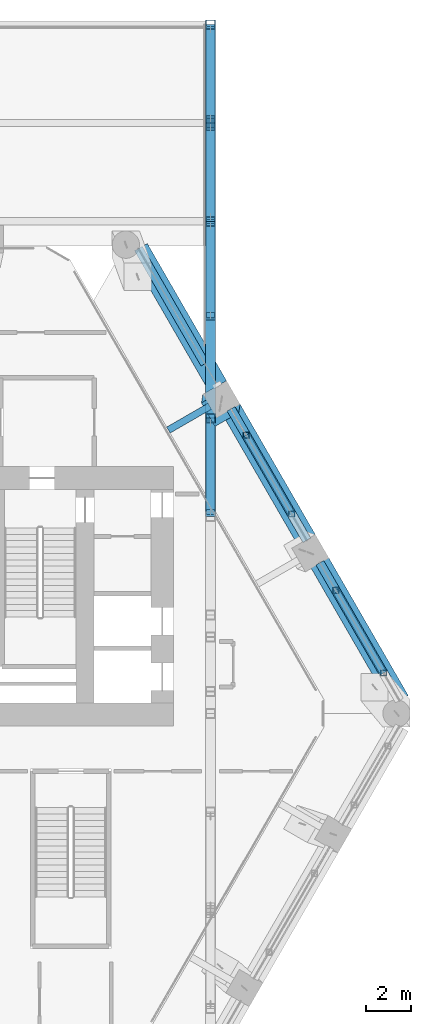
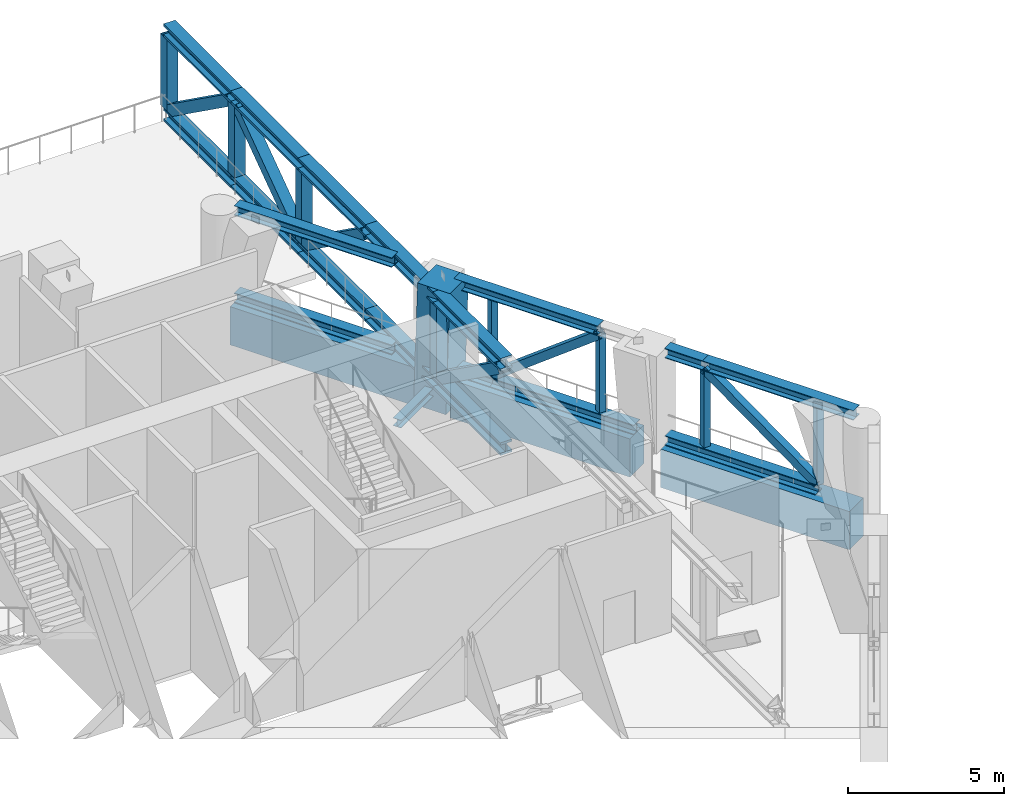
# One storey, part 8 of 22: 33 members, 4 beams.
"""IFC4 building model written with IfcOpenShell, lengths in metres."""

from ifc_helpers import new_model, si_unit, direction, frame, origin, origin_2d, place, context, subcontext, project, spatial, rectangle, hollow_rectangle, i_section, extrude, material, material_profile, profile_set, type_object, element, save


model = new_model("IFC4")

# Units and contexts
model_context = context("Model", 3, precision=1e-05, world=origin(), true_north=direction((0.0, 1.0)))
body_context = subcontext(model_context, "Body", "Model", "MODEL_VIEW")
ifc_project = project(units=[si_unit("LENGTHUNIT", "METRE"), si_unit("AREAUNIT", "SQUARE_METRE"), si_unit("VOLUMEUNIT", "CUBIC_METRE"), si_unit("PLANEANGLEUNIT", "RADIAN"), si_unit("MASSUNIT", "GRAM", prefix="KILO")], contexts=[model_context])

# Site, building, storey
site_placement = place(None, origin())
site = spatial("IfcSite", under=ifc_project, at=site_placement, CompositionType="ELEMENT")
building_placement = place(site_placement, origin())
building = spatial("IfcBuilding", under=site, at=building_placement, Name="Ostrander Bayou Hotel Tower", CompositionType="ELEMENT")
storey_placement = place(building_placement, frame((0.0, 0.0, 146.0)))
storey = spatial("IfcBuildingStorey", under=building, at=storey_placement, Name="L36", CompositionType="ELEMENT", Elevation=146.0)

# Members
ifc_material_1 = material(Name="Steel ASTM A992", Category="steel")
ifc_material_profile_1 = material_profile(ifc_material_1, i_section(OverallWidth=0.3955078125, OverallDepth=0.38037109375, WebThickness=0.01904296875, FlangeThickness=0.0302734375, at=origin_2d()))
ifc_profile_set_1 = profile_set([ifc_material_profile_1], Name="Steel ASTM A992")
member_type_1 = type_object("IfcMemberType", Name="BT3 belt truss chord W14x159", PredefinedType="CHORD", material=ifc_profile_set_1)
member_1_placement = place(storey_placement, frame((21.227783203125, 0.61962890625, 0.190185546875), z_axis=(-0.500011755427, 0.866018616679, 0.0), x_axis=(-0.866018616679, -0.500011755427, 0.0)))
element("IfcMember", 1, at=member_1_placement, inside=storey, type_object=member_type_1, Name="BT3 L36 NE-1B2", PredefinedType="CHORD", context=body_context, shape_type="SweptSolid", body=[
    extrude(i_section(OverallWidth=0.3955078125, OverallDepth=0.38037109375, WebThickness=0.01904296875, FlangeThickness=0.0302734375, at=origin_2d()), origin(), (0.0, 0.0, 1.0), 5.600341796875),
])
member_2_placement = place(storey_placement, frame((21.927734375, -0.593017578125, 3.60986328125), z_axis=(-0.4999928794, 0.866029514825, 0.0), x_axis=(-0.866029514825, -0.4999928794, 0.0)))
element("IfcMember", 2, at=member_2_placement, inside=storey, type_object=member_type_1, Name="BT3 L36 NE-1T1", PredefinedType="CHORD", context=body_context, shape_type="SweptSolid", body=[
    extrude(i_section(OverallWidth=0.3955078125, OverallDepth=0.38037109375, WebThickness=0.01904296875, FlangeThickness=0.0302734375, at=origin_2d()), origin(), (0.0, 0.0, 1.0), 5.6005859375),
])
member_3_placement = place(storey_placement, frame((19.12744140625, 4.25732421875, 3.60986328125), z_axis=(-0.49998411664, 0.866034573852, 0.0), x_axis=(-0.866034573852, -0.49998411664, 0.0)))
element("IfcMember", 3, at=member_3_placement, inside=storey, type_object=member_type_1, Name="BT3 L36 NE-1T2", PredefinedType="CHORD", context=body_context, shape_type="SweptSolid", body=[
    extrude(i_section(OverallWidth=0.3955078125, OverallDepth=0.38037109375, WebThickness=0.01904296875, FlangeThickness=0.0302734375, at=origin_2d()), origin(), (0.0, 0.0, 1.0), 1.39990234375),
])
member_4_placement = place(storey_placement, frame((17.857421875, 6.45703125, 0.190185546875), z_axis=(-0.500004822225, 0.866022619654, 0.0), x_axis=(-0.866022619654, -0.500004822225, 0.0)))
element("IfcMember", 4, at=member_4_placement, inside=storey, type_object=member_type_1, Name="BT3 L36 NE-2B1", PredefinedType="CHORD", context=body_context, shape_type="SweptSolid", body=[
    extrude(i_section(OverallWidth=0.3955078125, OverallDepth=0.38037109375, WebThickness=0.01904296875, FlangeThickness=0.0302734375, at=origin_2d()), origin(), (0.0, 0.0, 1.0), 5.3388671875),
])
member_5_placement = place(storey_placement, frame((15.18798828125, 11.08056640625, 0.190185546875), z_axis=(-0.499896625304, 0.866085078967, 0.0), x_axis=(-0.866085078967, -0.499896625304, 0.0)))
element("IfcMember", 5, at=member_5_placement, inside=storey, type_object=member_type_1, Name="BT3 L36 NE-2B2", PredefinedType="CHORD", context=body_context, shape_type="SweptSolid", body=[
    extrude(i_section(OverallWidth=0.3955078125, OverallDepth=0.38037109375, WebThickness=0.01904296875, FlangeThickness=0.0302734375, at=origin_2d()), origin(), (0.0, 0.0, 1.0), 1.334716796875),
])
member_6_placement = place(storey_placement, frame((17.190185546875, 7.61279296875, 3.60986328125), z_axis=(-0.499985021357, 0.866034051535, 0.0), x_axis=(-0.866034051535, -0.499985021357, 0.0)))
element("IfcMember", 6, at=member_6_placement, inside=storey, type_object=member_type_1, Name="BT3 L36 NE-2T2", PredefinedType="CHORD", context=body_context, shape_type="SweptSolid", body=[
    extrude(i_section(OverallWidth=0.3955078125, OverallDepth=0.38037109375, WebThickness=0.01904296875, FlangeThickness=0.0302734375, at=origin_2d()), origin(), (0.0, 0.0, 1.0), 5.339111328125),
])
for number, where, z_axis, x_axis, name in (
    (7, (13.3740234375, 14.22265625, 0.190185546875), (-0.500005576254, 0.866022184308, 0.0), (-0.866022184308, -0.500005576254, 0.0), "BT3 L36 NE-3B2"),
    (8, (13.3740234375, 14.22265625, 3.60986328125), (-0.500005576254, 0.866022184308, 0.0), (-0.866022184308, -0.500005576254, 0.0), "BT3 L36 NE-3T2"),
):
    element("IfcMember", number, at=place(storey_placement, frame(where, z_axis=z_axis, x_axis=x_axis)), inside=storey, type_object=member_type_1, Name=name, PredefinedType="CHORD", context=body_context, shape_type="SweptSolid", body=[
        extrude(i_section(OverallWidth=0.3955078125, OverallDepth=0.38037109375, WebThickness=0.01904296875, FlangeThickness=0.0302734375, at=origin_2d()), origin(), (0.0, 0.0, 1.0), 5.84716796875),
    ])
ifc_material_2 = material(Name="Steel ASTM A500 Gr C", Category="steel")
ifc_material_profile_2 = material_profile(ifc_material_2, hollow_rectangle(XDim=0.3046875, YDim=0.3046875, WallThickness=0.01171875, at=origin_2d()))
ifc_profile_set_2 = profile_set([ifc_material_profile_2], Name="Steel ASTM A500 Gr C")
member_type_2 = type_object("IfcMemberType", Name="BT4 belt truss diagonal HSS12x12x1/2", PredefinedType="BRACE", material=ifc_profile_set_2)
member_7_placement = place(storey_placement, frame((21.227783203125, 0.61962890625, 0.380615234375), z_axis=(-0.40512216744, 0.701652946049, 0.58613920936), x_axis=(-0.86601329827, -0.50002096678, 0.0)))
element("IfcMember", 9, at=member_7_placement, inside=storey, type_object=member_type_2, Name="BT4 L36 NE-1D", PredefinedType="BRACE", context=body_context, shape_type="SweptSolid", body=[
    extrude(hollow_rectangle(XDim=0.3046875, YDim=0.3046875, WallThickness=0.01171875, at=origin_2d()), origin(), (0.0, 0.0, 1.0), 5.1845703125),
])
member_8_placement = place(storey_placement, frame((15.18798828125, 11.08056640625, 0.380615234375), z_axis=(0.398304972012, -0.689857800568, 0.604524080799), x_axis=(0.866017040525, 0.50001448531, 0.0)))
element("IfcMember", 10, at=member_8_placement, inside=storey, type_object=member_type_2, Name="BT4 L36 NE-2D", PredefinedType="BRACE", context=body_context, shape_type="SweptSolid", body=[
    extrude(hollow_rectangle(XDim=0.3046875, YDim=0.3046875, WallThickness=0.01171875, at=origin_2d()), origin(), (0.0, 0.0, 1.0), 5.02685546875),
])
ifc_material_3 = material(Name="Steel ASTM A500 Gr C", Category="steel")
ifc_material_profile_3 = material_profile(ifc_material_3, hollow_rectangle(XDim=0.25390625, YDim=0.25390625, WallThickness=0.0087890625, at=origin_2d()))
ifc_profile_set_3 = profile_set([ifc_material_profile_3], Name="Steel ASTM A500 Gr C")
member_type_3 = type_object("IfcMemberType", Name="BT8 belt truss vertical HSS10x10x3/8", PredefinedType="POST", material=ifc_profile_set_3)
for number, where, z_axis, x_axis, name in (
    (11, (21.227783203125, 0.61962890625, 0.380615234375), (0.0, 0.0, 1.0), (1.0, 0.0, 0.0), "BT8 L36 NE-1V1"),
    (12, (19.12744140625, 4.25732421875, 0.380615234375), (0.0, 0.0, 1.0), (1.0, 0.0, 0.0), "BT8 L36 NE-1V2"),
    (13, (17.190185546875, 7.61279296875, 0.380615234375), (0.0, 0.0, 1.0), (1.0, 0.0, 0.0), "BT8 L36 NE-2V1"),
    (14, (15.18798828125, 11.08056640625, 0.380615234375), (0.0, 0.0, 1.0), (1.0, 0.0, 0.0), "BT8 L36 NE-2V2"),
):
    element("IfcMember", number, at=place(storey_placement, frame(where, z_axis=z_axis, x_axis=x_axis)), inside=storey, type_object=member_type_3, Name=name, PredefinedType="POST", context=body_context, shape_type="SweptSolid", body=[
        extrude(hollow_rectangle(XDim=0.25390625, YDim=0.25390625, WallThickness=0.0087890625, at=origin_2d()), origin(), (0.0, 0.0, 1.0), 3.038818359375),
    ])
ifc_material_4 = material(Name="Concrete f'c 70 MPa", Category="concrete")
ifc_material_profile_4 = material_profile(ifc_material_4, rectangle(XDim=1.199951171875, YDim=1.199951171875, at=origin_2d()))
ifc_profile_set_4 = profile_set([ifc_material_profile_4], Name="Concrete f'c 70 MPa")
member_type_4 = type_object("IfcMemberType", Name="KC2 kinked column 1200 x 1200 mm f'c 70 MPa", PredefinedType="STRUT", material=ifc_profile_set_4)
member_9_placement = place(storey_placement, frame((14.105712890625, 12.655029296875, -1.199951171875), z_axis=(0.0, 0.0, 1.0), x_axis=(0.5, -0.866025403784, 0.0)))
element("IfcMember", 15, at=member_9_placement, inside=storey, type_object=member_type_4, Name="KC2 L36 NE2", PredefinedType="STRUT", context=body_context, shape_type="SweptSolid", body=[
    extrude(rectangle(XDim=1.199951171875, YDim=1.199951171875, at=origin_2d()), origin(), (0.057597448703, -0.04854619776, 0.997158864267), 5.01416015625),
])

# Beams
ifc_material_5 = material(Name="Steel ASTM A992", Category="steel")
ifc_material_profile_5 = material_profile(ifc_material_5, i_section(OverallWidth=0.3046875, OverallDepth=0.307861328125, WebThickness=0.010009765625, FlangeThickness=0.015380859375, at=origin_2d()))
ifc_profile_set_5 = profile_set([ifc_material_profile_5], Name="Steel ASTM A992")
beam_type_1 = type_object("IfcBeamType", Name="LB1 loggia bracket W12x65", PredefinedType="BEAM", material=ifc_profile_set_5)
beam_1_placement = place(storey_placement, frame((13.586181640625, 12.35498046875, -0.453857421875), z_axis=(-0.866059744384, -0.49994051562, 0.0), x_axis=(0.49994051562, -0.866059744384, 0.0)))
element("IfcBeam", 16, at=beam_1_placement, inside=storey, type_object=beam_type_1, Name="LB1 L36 NE2", PredefinedType="BEAM", context=body_context, shape_type="SweptSolid", body=[
    extrude(i_section(OverallWidth=0.3046875, OverallDepth=0.307861328125, WebThickness=0.010009765625, FlangeThickness=0.015380859375, at=origin_2d()), origin(), (0.0, 0.0, 1.0), 2.099853515625),
])
ifc_material_6 = material(Name="Concrete f'c 70 MPa", Category="concrete")
ifc_material_profile_6 = material_profile(ifc_material_6, rectangle(XDim=0.89990234375, YDim=1.5, at=origin_2d()))
ifc_profile_set_6 = profile_set([ifc_material_profile_6], Name="Concrete f'c 70 MPa")
beam_type_2 = type_object("IfcBeamType", Name="SPB2 belt spandrel beam 900 x 1500 mm f'c 70 MPa", PredefinedType="SPANDREL", material=ifc_profile_set_6)
beam_2_placement = place(storey_placement, frame((21.927734375, -0.593017578125, -0.75), z_axis=(-0.499991127072, 0.866030526511, 0.0), x_axis=(-0.866030526511, -0.499991127072, 0.0)))
element("IfcBeam", 17, at=beam_2_placement, inside=storey, type_object=beam_type_2, Name="SP2 L36 NE-1", PredefinedType="SPANDREL", context=body_context, shape_type="SweptSolid", body=[
    extrude(rectangle(XDim=0.89990234375, YDim=1.5, at=origin_2d()), origin(), (0.0, 0.0, 1.0), 7.000732421875),
])
beam_3_placement = place(storey_placement, frame((17.857421875, 6.45703125, -0.75), z_axis=(-0.499983182885, 0.866035112932, 0.0), x_axis=(-0.866035112932, -0.499983182885, 0.0)))
element("IfcBeam", 18, at=beam_3_placement, inside=storey, type_object=beam_type_2, Name="SP2 L36 NE-2", PredefinedType="SPANDREL", context=body_context, shape_type="SweptSolid", body=[
    extrude(rectangle(XDim=0.89990234375, YDim=1.5, at=origin_2d()), origin(), (0.0, 0.0, 1.0), 6.673583984375),
])
beam_4_placement = place(storey_placement, frame((13.95068359375, 13.2236328125, -0.75), z_axis=(-0.499991127072, 0.866030526511, 0.0), x_axis=(-0.866030526511, -0.499991127072, 0.0)))
element("IfcBeam", 19, at=beam_4_placement, inside=storey, type_object=beam_type_2, Name="SP2 L36 NE-3", PredefinedType="SPANDREL", context=body_context, shape_type="SweptSolid", body=[
    extrude(rectangle(XDim=0.89990234375, YDim=1.5, at=origin_2d()), origin(), (0.0, 0.0, 1.0), 7.000732421875),
])

# Members
ifc_material_7 = material(Name="Steel ASTM A992", Category="steel")
ifc_material_profile_7 = material_profile(ifc_material_7, i_section(OverallWidth=0.43212890625, OverallDepth=0.497802734375, WebThickness=0.0556640625, FlangeThickness=0.0888671875, at=origin_2d()))
ifc_profile_set_7 = profile_set([ifc_material_profile_7], Name="Steel ASTM A992")
member_type_5 = type_object("IfcMemberType", Name="TT1 through-truss chord W14x500", PredefinedType="CHORD", material=ifc_profile_set_7)
for number, where, z_axis, x_axis, name in (
    (20, (13.6201171875, 29.13720703125, 0.248779296875), (0.0, -1.0, 0.0), (1.0, 0.0, 0.0), "TT1 SB3B B1"),
    (21, (13.6201171875, 29.13720703125, 3.551025390625), (0.0, -1.0, 0.0), (1.0, 0.0, 0.0), "TT1 SB3B T1"),
):
    element("IfcMember", number, at=place(storey_placement, frame(where, z_axis=z_axis, x_axis=x_axis)), inside=storey, type_object=member_type_5, Name=name, PredefinedType="CHORD", context=body_context, shape_type="SweptSolid", body=[
        extrude(i_section(OverallWidth=0.43212890625, OverallDepth=0.497802734375, WebThickness=0.0556640625, FlangeThickness=0.0888671875, at=origin_2d()), origin(), (0.0, 0.0, 1.0), 4.327880859375),
    ])
for number, where, z_axis, x_axis, name in (
    (22, (13.6201171875, 24.809326171875, 0.248779296875), (0.0, -1.0, 0.0), (1.0, 0.0, 0.0), "TT1 SB3B B2"),
    (23, (13.6201171875, 24.809326171875, 3.551025390625), (0.0, -1.0, 0.0), (1.0, 0.0, 0.0), "TT1 SB3B T2"),
    (24, (13.6201171875, 20.481689453125, 0.248779296875), (0.0, -1.0, 0.0), (1.0, 0.0, 0.0), "TT1 SB3B B3"),
    (25, (13.6201171875, 20.481689453125, 3.551025390625), (0.0, -1.0, 0.0), (1.0, 0.0, 0.0), "TT1 SB3B T3"),
    (26, (13.6201171875, 16.154052734375, 0.248779296875), (0.0, -1.0, 0.0), (1.0, 0.0, 0.0), "TT1 SB3B B4"),
    (27, (13.6201171875, 16.154052734375, 3.551025390625), (0.0, -1.0, 0.0), (1.0, 0.0, 0.0), "TT1 SB3B T4"),
    (28, (13.6201171875, 11.826416015625, 0.248779296875), (0.0, -1.0, 0.0), (1.0, 0.0, 0.0), "TT1 SB3B B5"),
    (29, (13.6201171875, 11.826416015625, 3.551025390625), (0.0, -1.0, 0.0), (1.0, 0.0, 0.0), "TT1 SB3B T5"),
):
    element("IfcMember", number, at=place(storey_placement, frame(where, z_axis=z_axis, x_axis=x_axis)), inside=storey, type_object=member_type_5, Name=name, PredefinedType="CHORD", context=body_context, shape_type="SweptSolid", body=[
        extrude(i_section(OverallWidth=0.43212890625, OverallDepth=0.497802734375, WebThickness=0.0556640625, FlangeThickness=0.0888671875, at=origin_2d()), origin(), (0.0, 0.0, 1.0), 4.32763671875),
    ])
ifc_material_8 = material(Name="Steel ASTM A572 Gr 50", Category="steel")
ifc_material_profile_8 = material_profile(ifc_material_8, hollow_rectangle(XDim=0.406494140625, YDim=0.406494140625, WallThickness=0.017822265625, at=origin_2d()))
ifc_profile_set_8 = profile_set([ifc_material_profile_8], Name="Steel ASTM A572 Gr 50")
member_type_6 = type_object("IfcMemberType", Name="TT3 through-truss diagonal box 16 x 16 x 3/4", PredefinedType="BRACE", material=ifc_profile_set_8)
for number, where, z_axis, x_axis, name in (
    (30, (13.6201171875, 28.933837890625, 0.497802734375), (0.0, -0.813377448858, 0.581736302536), (1.0, 0.0, 0.0), "TT3 SB3B D1"),
    (31, (13.6201171875, 20.68505859375, 0.497802734375), (0.0, 0.813377448858, 0.581736302536), (-1.0, 0.0, 0.0), "TT3 SB3B D2"),
    (32, (13.6201171875, 20.278564453125, 0.497802734375), (0.0, -0.813377448858, 0.581736302536), (1.0, 0.0, 0.0), "TT3 SB3B D3"),
):
    element("IfcMember", number, at=place(storey_placement, frame(where, z_axis=z_axis, x_axis=x_axis)), inside=storey, type_object=member_type_6, Name=name, PredefinedType="BRACE", context=body_context, shape_type="SweptSolid", body=[
        extrude(hollow_rectangle(XDim=0.406494140625, YDim=0.406494140625, WallThickness=0.017822265625, at=origin_2d()), origin(), (0.0, 0.0, 1.0), 4.82080078125),
    ])
member_10_placement = place(storey_placement, frame((13.6201171875, 11.623291015625, 0.497802734375), z_axis=(0.0, -0.813394586263, 0.581712340456), x_axis=(1.0, 0.0, 0.0)))
element("IfcMember", 33, at=member_10_placement, inside=storey, type_object=member_type_6, Name="TT3 SB3B D5", PredefinedType="BRACE", context=body_context, shape_type="SweptSolid", body=[
    extrude(hollow_rectangle(XDim=0.406494140625, YDim=0.406494140625, WallThickness=0.017822265625, at=origin_2d()), origin(), (0.0, 0.0, 1.0), 4.821044921875),
])
ifc_material_9 = material(Name="Steel ASTM A572 Gr 50", Category="steel")
ifc_material_profile_9 = material_profile(ifc_material_9, hollow_rectangle(XDim=0.406494140625, YDim=0.406494140625, WallThickness=0.017822265625, at=origin_2d()))
ifc_profile_set_9 = profile_set([ifc_material_profile_9], Name="Steel ASTM A572 Gr 50")
member_type_7 = type_object("IfcMemberType", Name="TT4 through-truss post box 16 x 16 x 3/4", PredefinedType="POST", material=ifc_profile_set_9)
for number, where, z_axis, x_axis, name in (
    (34, (13.6201171875, 29.13720703125, 0.497802734375), (0.0, 0.0, 1.0), (1.0, 0.0, 0.0), "TT4 SB3B P1"),
    (35, (13.6201171875, 24.809326171875, 0.497802734375), (0.0, 0.0, 1.0), (1.0, 0.0, 0.0), "TT4 SB3B P2"),
    (36, (13.6201171875, 20.481689453125, 0.497802734375), (0.0, 0.0, 1.0), (1.0, 0.0, 0.0), "TT4 SB3B P3"),
    (37, (13.6201171875, 11.826416015625, 0.497802734375), (0.0, 0.0, 1.0), (1.0, 0.0, 0.0), "TT4 SB3B P5"),
):
    element("IfcMember", number, at=place(storey_placement, frame(where, z_axis=z_axis, x_axis=x_axis)), inside=storey, type_object=member_type_7, Name=name, PredefinedType="POST", context=body_context, shape_type="SweptSolid", body=[
        extrude(hollow_rectangle(XDim=0.406494140625, YDim=0.406494140625, WallThickness=0.017822265625, at=origin_2d()), origin(), (0.0, 0.0, 1.0), 2.804443359375),
    ])

save(model, "model.ifc")
